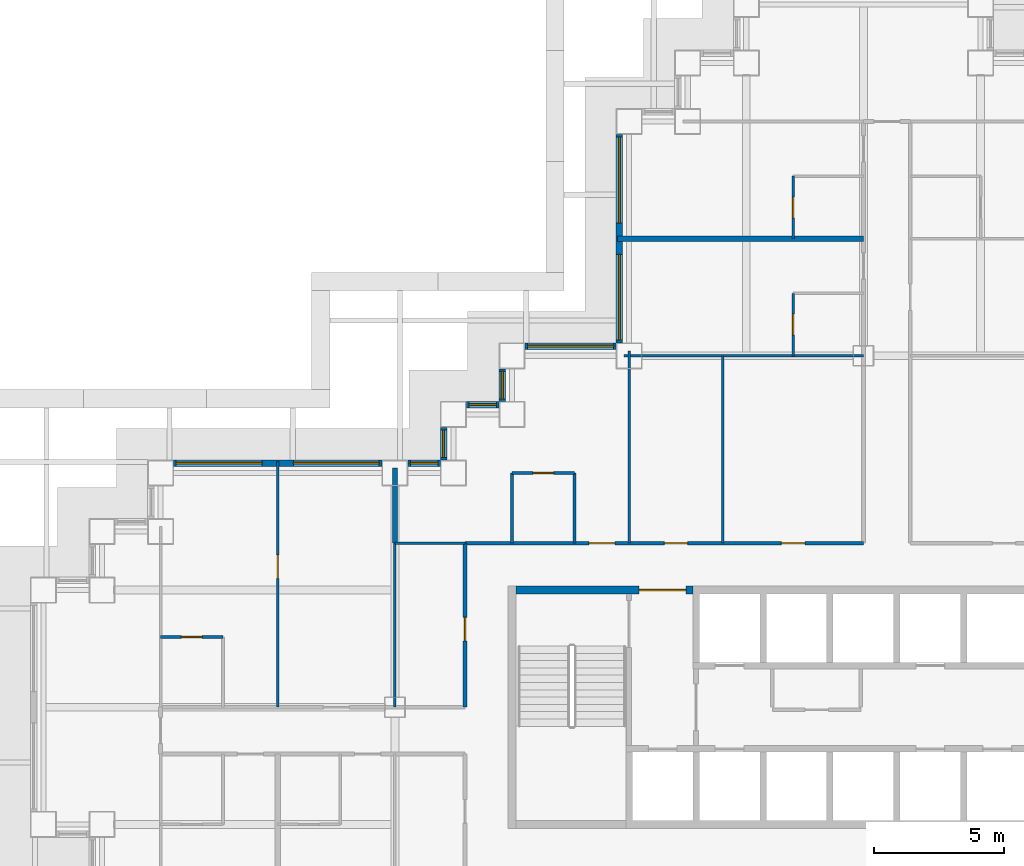
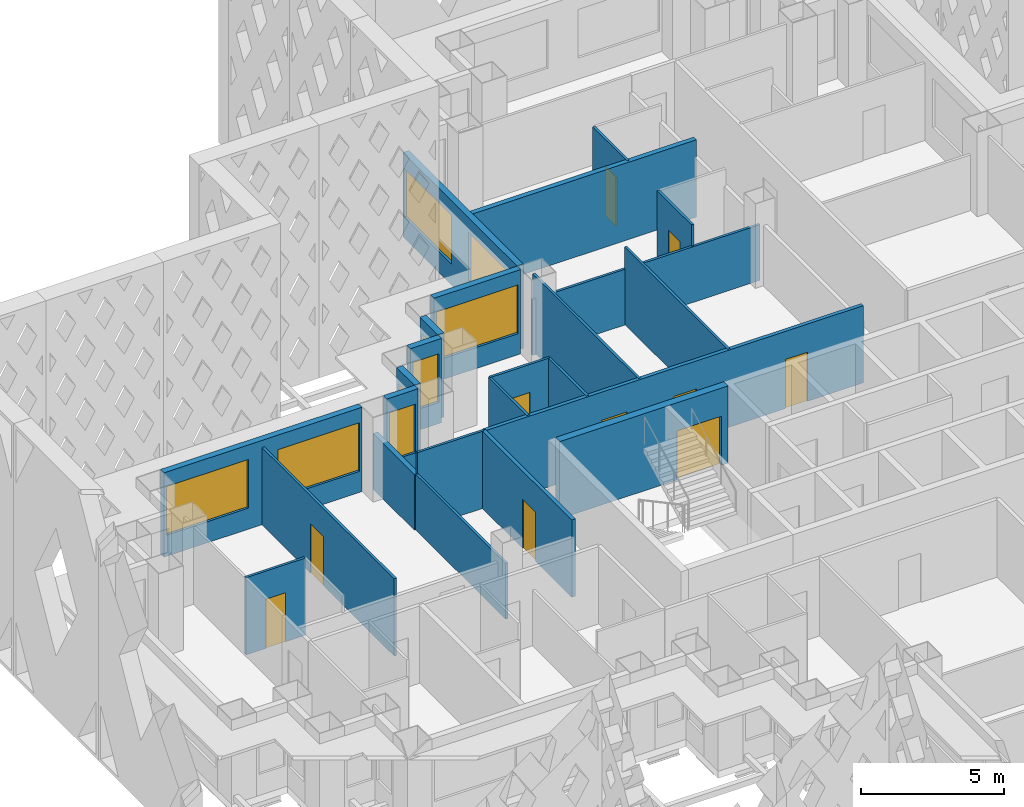
# One storey, part 7 of 19: 24 walls, 10 doors, 9 windows, 19 openings.
"""IFC4 building model written with IfcOpenShell, lengths in metres."""

from ifc_helpers import new_model, si_unit, direction, frame, frame_2d, origin, place, context, subcontext, project, spatial, rectangle, extrude, material, layer, layer_set, type_object, element, fill, save


model = new_model("IFC4")

# Units and contexts
model_context = context("Model", 3, precision=1e-05, world=origin(), true_north=direction((0.0, 1.0)))
body_context = subcontext(model_context, "Body", "Model", "MODEL_VIEW")
ifc_project = project(units=[si_unit("LENGTHUNIT", "METRE"), si_unit("AREAUNIT", "SQUARE_METRE"), si_unit("VOLUMEUNIT", "CUBIC_METRE"), si_unit("PLANEANGLEUNIT", "RADIAN"), si_unit("MASSUNIT", "GRAM", prefix="KILO")], contexts=[model_context])

# Site, building, storey
site_placement = place(None, origin())
site = spatial("IfcSite", under=ifc_project, at=site_placement, CompositionType="ELEMENT")
building_placement = place(site_placement, origin())
building = spatial("IfcBuilding", under=site, at=building_placement, Name="Caravel Reach Hotel and Residences", CompositionType="ELEMENT")
storey_placement = place(building_placement, frame((0.0, 0.0, 74.39990234375)))
storey = spatial("IfcBuildingStorey", under=building, at=storey_placement, Name="L17", CompositionType="ELEMENT", Elevation=74.39990234375)

# Wall, opening, door
ifc_material_1 = material(Name="Gypsum board on steel stud", Category="steel")
ifc_layer_1 = layer(ifc_material_1, 0.10009765625)
ifc_layer_set_1 = layer_set([ifc_layer_1], Name="Bathroom pod wall 100 mm")
wall_type_1 = type_object("IfcWallType", Name="Bathroom pod wall 100 mm", PredefinedType="PARTITIONING", material=ifc_layer_set_1)
wall_1_placement = place(storey_placement, frame((4.5, 29.699951171875, 0.0), z_axis=(0.0, 0.0, 1.0), x_axis=(1.0, 0.0, 0.0)))
wall_1 = element("IfcWall", 1, at=wall_1_placement, inside=storey, type_object=wall_type_1, Name="L17 wall w092", PredefinedType="PARTITIONING", context=body_context, shape_type="SweptSolid", body=[
    extrude(rectangle(XDim=2.39990234375, YDim=0.10009765625, at=frame_2d((1.199951171875, 0.0))), origin(), (0.0, 0.0, 1.0), 3.300048828125),
])
opening_1_placement = place(wall_1_placement, frame((0.800048828125, 0.0, 0.0)))
opening_1 = element("IfcOpeningElement", 2, at=opening_1_placement, cuts=wall_1, Name="Opening D17-021", PredefinedType="OPENING", context=body_context, shape_type="SweptSolid", body=[
    extrude(rectangle(XDim=0.800048828125, YDim=2.10009765625, at=frame_2d((0.39990234375, 1.050048828125))), frame((0.0, 0.06005859375, 0.0), z_axis=(0.0, -1.0, 0.0), x_axis=(1.0, 0.0, 0.0)), (0.0, 0.0, 1.0), 0.1201171875),
])
ifc_material_2 = material(Name="Timber and steel door leaf", Category="steel")
door_type_1 = type_object("IfcDoorType", Name="Bathroom door 800 x 2100", OperationType="SINGLE_SWING_LEFT", PredefinedType="DOOR", material=ifc_material_2)
door_1_placement = place(opening_1_placement, origin())
door_1 = element("IfcDoor", 3, at=door_1_placement, inside=storey, type_object=door_type_1, Name="door D17-021", OperationType="SINGLE_SWING_LEFT", OverallHeight=2.10009765625, OverallWidth=0.800048828125, PredefinedType="DOOR", context=body_context, shape_type="SweptSolid", body=[
    extrude(rectangle(XDim=0.800048828125, YDim=2.10009765625, at=frame_2d((0.39990234375, 1.050048828125))), frame((0.0, 0.02490234375, 0.0), z_axis=(0.0, -1.0, 0.0), x_axis=(1.0, 0.0, 0.0)), (0.0, 0.0, 1.0), 0.050048828125),
])
fill(opening_1, door_1)

wall_2_placement = place(storey_placement, frame((18.0, 36.0, 0.0), z_axis=(0.0, 0.0, 1.0), x_axis=(1.0, 0.0, 0.0)))
wall_2 = element("IfcWall", 4, at=wall_2_placement, inside=storey, type_object=wall_type_1, Name="L17 wall w095", PredefinedType="PARTITIONING", context=body_context, shape_type="SweptSolid", body=[
    extrude(rectangle(XDim=2.39990234375, YDim=0.10009765625, at=frame_2d((1.199951171875, 0.0))), origin(), (0.0, 0.0, 1.0), 3.300048828125),
])
opening_2_placement = place(wall_2_placement, frame((0.800048828125, 0.0, 0.0)))
opening_2 = element("IfcOpeningElement", 5, at=opening_2_placement, cuts=wall_2, Name="Opening D17-047", PredefinedType="OPENING", context=body_context, shape_type="SweptSolid", body=[
    extrude(rectangle(XDim=0.800048828125, YDim=2.10009765625, at=frame_2d((0.39990234375, 1.050048828125))), frame((0.0, 0.06005859375, 0.0), z_axis=(0.0, -1.0, 0.0), x_axis=(1.0, 0.0, 0.0)), (0.0, 0.0, 1.0), 0.1201171875),
])
door_2_placement = place(opening_2_placement, origin())
door_2 = element("IfcDoor", 6, at=door_2_placement, inside=storey, type_object=door_type_1, Name="door D17-047", OperationType="SINGLE_SWING_LEFT", OverallHeight=2.10009765625, OverallWidth=0.800048828125, PredefinedType="DOOR", context=body_context, shape_type="SweptSolid", body=[
    extrude(rectangle(XDim=0.800048828125, YDim=2.10009765625, at=frame_2d((0.39990234375, 1.050048828125))), frame((0.0, 0.02490234375, 0.0), z_axis=(0.0, -1.0, 0.0), x_axis=(1.0, 0.0, 0.0)), (0.0, 0.0, 1.0), 0.050048828125),
])
fill(opening_2, door_2)

# Walls
for number, where, z_axis, x_axis, name in (
    (7, (18.0, 33.300048828125, 0.0), (0.0, 0.0, 1.0), (0.0, 1.0, 0.0), "L17 wall w101"),
    (8, (20.39990234375, 33.300048828125, 0.0), (0.0, 0.0, 1.0), (0.0, 1.0, 0.0), "L17 wall w102"),
):
    element("IfcWall", number, at=place(storey_placement, frame(where, z_axis=z_axis, x_axis=x_axis)), inside=storey, type_object=wall_type_1, Name=name, PredefinedType="PARTITIONING", context=body_context, shape_type="SweptSolid", body=[
        extrude(rectangle(XDim=2.699951171875, YDim=0.10009765625, at=frame_2d((1.35009765625, 0.0))), origin(), (0.0, 0.0, 1.0), 3.300048828125),
    ])

# Wall, opening, door
wall_3_placement = place(storey_placement, frame((28.800048828125, 40.5, 0.0), z_axis=(0.0, 0.0, 1.0), x_axis=(0.0, 1.0, 0.0)))
wall_3 = element("IfcWall", 9, at=wall_3_placement, inside=storey, type_object=wall_type_1, Name="L17 wall w105", PredefinedType="PARTITIONING", context=body_context, shape_type="SweptSolid", body=[
    extrude(rectangle(XDim=2.39990234375, YDim=0.10009765625, at=frame_2d((1.199951171875, 0.0))), origin(), (0.0, 0.0, 1.0), 3.300048828125),
])
opening_3_placement = place(wall_3_placement, frame((0.800048828125, 0.0, 0.0)))
opening_3 = element("IfcOpeningElement", 10, at=opening_3_placement, cuts=wall_3, Name="Opening D17-031", PredefinedType="OPENING", context=body_context, shape_type="SweptSolid", body=[
    extrude(rectangle(XDim=0.800048828125, YDim=2.10009765625, at=frame_2d((0.39990234375, 1.050048828125))), frame((0.0, 0.06005859375, 0.0), z_axis=(0.0, -1.0, 0.0), x_axis=(1.0, 0.0, 0.0)), (0.0, 0.0, 1.0), 0.1201171875),
])
door_3_placement = place(opening_3_placement, origin())
door_3 = element("IfcDoor", 11, at=door_3_placement, inside=storey, type_object=door_type_1, Name="door D17-031", OperationType="SINGLE_SWING_RIGHT", OverallHeight=2.10009765625, OverallWidth=0.800048828125, PredefinedType="DOOR", context=body_context, shape_type="SweptSolid", body=[
    extrude(rectangle(XDim=0.800048828125, YDim=2.10009765625, at=frame_2d((0.39990234375, 1.050048828125))), frame((0.0, 0.02490234375, 0.0), z_axis=(0.0, -1.0, 0.0), x_axis=(1.0, 0.0, 0.0)), (0.0, 0.0, 1.0), 0.050048828125),
])
fill(opening_3, door_3)

wall_4_placement = place(storey_placement, frame((28.800048828125, 45.0, 0.0), z_axis=(0.0, 0.0, 1.0), x_axis=(0.0, 1.0, 0.0)))
wall_4 = element("IfcWall", 12, at=wall_4_placement, inside=storey, type_object=wall_type_1, Name="L17 wall w106", PredefinedType="PARTITIONING", context=body_context, shape_type="SweptSolid", body=[
    extrude(rectangle(XDim=2.39990234375, YDim=0.10009765625, at=frame_2d((1.199951171875, 0.0))), origin(), (0.0, 0.0, 1.0), 3.300048828125),
])
opening_4_placement = place(wall_4_placement, frame((0.800048828125, 0.0, 0.0)))
opening_4 = element("IfcOpeningElement", 13, at=opening_4_placement, cuts=wall_4, Name="Opening D17-033", PredefinedType="OPENING", context=body_context, shape_type="SweptSolid", body=[
    extrude(rectangle(XDim=0.800048828125, YDim=2.10009765625, at=frame_2d((0.39990234375, 1.050048828125))), frame((0.0, 0.06005859375, 0.0), z_axis=(0.0, -1.0, 0.0), x_axis=(1.0, 0.0, 0.0)), (0.0, 0.0, 1.0), 0.1201171875),
])
door_4_placement = place(opening_4_placement, origin())
door_4 = element("IfcDoor", 14, at=door_4_placement, inside=storey, type_object=door_type_1, Name="door D17-033", OperationType="SINGLE_SWING_RIGHT", OverallHeight=2.10009765625, OverallWidth=0.800048828125, PredefinedType="DOOR", context=body_context, shape_type="SweptSolid", body=[
    extrude(rectangle(XDim=0.800048828125, YDim=2.10009765625, at=frame_2d((0.39990234375, 1.050048828125))), frame((0.0, 0.02490234375, 0.0), z_axis=(0.0, -1.0, 0.0), x_axis=(1.0, 0.0, 0.0)), (0.0, 0.0, 1.0), 0.050048828125),
])
fill(opening_4, door_4)

ifc_material_3 = material(Name="Concrete C60", Category="concrete")
ifc_layer_2 = layer(ifc_material_3, 0.300048828125)
ifc_layer_set_2 = layer_set([ifc_layer_2], Name="Core wall 300 mm EI 120")
wall_type_2 = type_object("IfcWallType", Name="Core wall 300 mm EI 120", PredefinedType="SHEAR", material=ifc_layer_set_2)
wall_5_placement = place(storey_placement, frame((18.14990234375, 31.5, 0.0), z_axis=(0.0, 0.0, 1.0), x_axis=(1.0, 0.0, 0.0)))
wall_5 = element("IfcWall", 15, at=wall_5_placement, inside=storey, type_object=wall_type_2, Name="L17 core wall N1", PredefinedType="SHEAR", context=body_context, shape_type="SweptSolid", body=[
    extrude(rectangle(XDim=6.796630859375, YDim=0.300048828125, at=frame_2d((3.3984375, 0.0))), origin(), (0.0, 0.0, 1.0), 3.300048828125),
])
opening_5_placement = place(wall_5_placement, frame((4.735595703125, 0.0, 0.0)))
opening_5 = element("IfcOpeningElement", 16, at=opening_5_placement, cuts=wall_5, Name="Opening D17-013", PredefinedType="OPENING", context=body_context, shape_type="SweptSolid", body=[
    extrude(rectangle(XDim=1.800048828125, YDim=2.10009765625, at=frame_2d((0.89990234375, 1.050048828125))), frame((0.0, 0.159912109375, 0.0), z_axis=(0.0, -1.0, 0.0), x_axis=(1.0, 0.0, 0.0)), (0.0, 0.0, 1.0), 0.320068359375),
])
ifc_material_4 = material(Name="Steel fire door leaf", Category="steel")
door_type_2 = type_object("IfcDoorType", Name="Fire lobby door pair 1800 x 2100 EI 90", OperationType="DOUBLE_DOOR_SINGLE_SWING", PredefinedType="DOOR", material=ifc_material_4)
door_5_placement = place(opening_5_placement, origin())
door_5 = element("IfcDoor", 17, at=door_5_placement, inside=storey, type_object=door_type_2, Name="lobby N door pair to corridor", OperationType="DOUBLE_DOOR_SINGLE_SWING", OverallHeight=2.10009765625, OverallWidth=1.800048828125, PredefinedType="DOOR", context=body_context, shape_type="SweptSolid", body=[
    extrude(rectangle(XDim=1.800048828125, YDim=2.10009765625, at=frame_2d((0.89990234375, 1.050048828125))), frame((0.0, 0.02490234375, 0.0), z_axis=(0.0, -1.0, 0.0), x_axis=(1.0, 0.0, 0.0)), (0.0, 0.0, 1.0), 0.050048828125),
])
fill(opening_5, door_5)

# Wall, openings, doors
ifc_material_5 = material(Name="Gypsum board on steel stud, fire-rated", Category="steel")
ifc_layer_3 = layer(ifc_material_5, 0.14990234375)
ifc_layer_set_3 = layer_set([ifc_layer_3], Name="Corridor wall 150 mm EI 60")
wall_type_3 = type_object("IfcWallType", Name="Corridor wall 150 mm EI 60", PredefinedType="PARTITIONING", material=ifc_layer_set_3)
wall_6_placement = place(storey_placement, frame((16.199951171875, 33.300048828125, 0.0), z_axis=(0.0, 0.0, 1.0), x_axis=(1.0, 0.0, 0.0)))
wall_6 = element("IfcWall", 18, at=wall_6_placement, inside=storey, type_object=wall_type_3, Name="L17 wall w019", PredefinedType="PARTITIONING", context=body_context, shape_type="SweptSolid", body=[
    extrude(rectangle(XDim=15.300048828125, YDim=0.14990234375, at=frame_2d((7.64990234375, 0.0))), origin(), (0.0, 0.0, 1.0), 3.300048828125),
])
opening_6_placement = place(wall_6_placement, frame((4.75, 0.0, 0.0)))
opening_6 = element("IfcOpeningElement", 19, at=opening_6_placement, cuts=wall_6, Name="Opening D17-046", PredefinedType="OPENING", context=body_context, shape_type="SweptSolid", body=[
    extrude(rectangle(XDim=1.0, YDim=2.10009765625, at=frame_2d((0.5, 1.050048828125))), frame((0.0, 0.0849609375, 0.0), z_axis=(0.0, -1.0, 0.0), x_axis=(1.0, 0.0, 0.0)), (0.0, 0.0, 1.0), 0.169921875),
])
opening_7_placement = place(wall_6_placement, frame((7.650146484375, 0.0, 0.0)))
opening_7 = element("IfcOpeningElement", 20, at=opening_7_placement, cuts=wall_6, Name="Opening D17-057", PredefinedType="OPENING", context=body_context, shape_type="SweptSolid", body=[
    extrude(rectangle(XDim=0.89990234375, YDim=2.10009765625, at=frame_2d((0.449951171875, 1.050048828125))), frame((0.0, 0.0849609375, 0.0), z_axis=(0.0, -1.0, 0.0), x_axis=(1.0, 0.0, 0.0)), (0.0, 0.0, 1.0), 0.169921875),
])
opening_8_placement = place(wall_6_placement, frame((12.14990234375, 0.0, 0.0)))
opening_8 = element("IfcOpeningElement", 21, at=opening_8_placement, cuts=wall_6, Name="Opening D17-058", PredefinedType="OPENING", context=body_context, shape_type="SweptSolid", body=[
    extrude(rectangle(XDim=0.89990234375, YDim=2.10009765625, at=frame_2d((0.449951171875, 1.050048828125))), frame((0.0, 0.0849609375, 0.0), z_axis=(0.0, -1.0, 0.0), x_axis=(1.0, 0.0, 0.0)), (0.0, 0.0, 1.0), 0.169921875),
])
ifc_material_6 = material(Name="Timber and steel door leaf", Category="steel")
door_type_3 = type_object("IfcDoorType", Name="Door 900 x 2100 timber", OperationType="SINGLE_SWING_LEFT", PredefinedType="DOOR", material=ifc_material_6)
door_6_placement = place(opening_7_placement, origin())
door_6 = element("IfcDoor", 22, at=door_6_placement, inside=storey, type_object=door_type_3, Name="door D17-057", OperationType="SINGLE_SWING_LEFT", OverallHeight=2.10009765625, OverallWidth=0.89990234375, PredefinedType="DOOR", context=body_context, shape_type="SweptSolid", body=[
    extrude(rectangle(XDim=0.89990234375, YDim=2.10009765625, at=frame_2d((0.449951171875, 1.050048828125))), frame((0.0, 0.02490234375, 0.0), z_axis=(0.0, -1.0, 0.0), x_axis=(1.0, 0.0, 0.0)), (0.0, 0.0, 1.0), 0.050048828125),
])
fill(opening_7, door_6)
door_7_placement = place(opening_8_placement, origin())
door_7 = element("IfcDoor", 23, at=door_7_placement, inside=storey, type_object=door_type_3, Name="door D17-058", OperationType="SINGLE_SWING_RIGHT", OverallHeight=2.10009765625, OverallWidth=0.89990234375, PredefinedType="DOOR", context=body_context, shape_type="SweptSolid", body=[
    extrude(rectangle(XDim=0.89990234375, YDim=2.10009765625, at=frame_2d((0.449951171875, 1.050048828125))), frame((0.0, 0.02490234375, 0.0), z_axis=(0.0, -1.0, 0.0), x_axis=(1.0, 0.0, 0.0)), (0.0, 0.0, 1.0), 0.050048828125),
])
fill(opening_8, door_7)
ifc_material_7 = material(Name="Steel fire door leaf", Category="steel")
door_type_4 = type_object("IfcDoorType", Name="Guest room door 1000 x 2100 EI 30", OperationType="SINGLE_SWING_LEFT", PredefinedType="DOOR", material=ifc_material_7)
door_8_placement = place(opening_6_placement, origin())
door_8 = element("IfcDoor", 24, at=door_8_placement, inside=storey, type_object=door_type_4, Name="door D17-046", OperationType="SINGLE_SWING_RIGHT", OverallHeight=2.10009765625, OverallWidth=1.0, PredefinedType="DOOR", context=body_context, shape_type="SweptSolid", body=[
    extrude(rectangle(XDim=1.0, YDim=2.10009765625, at=frame_2d((0.5, 1.050048828125))), frame((0.0, 0.02490234375, 0.0), z_axis=(0.0, -1.0, 0.0), x_axis=(1.0, 0.0, 0.0)), (0.0, 0.0, 1.0), 0.050048828125),
])
fill(opening_6, door_8)

# Wall, opening, door
wall_7_placement = place(storey_placement, frame((16.199951171875, 27.0, 0.0), z_axis=(0.0, 0.0, 1.0), x_axis=(0.0, 1.0, 0.0)))
wall_7 = element("IfcWall", 25, at=wall_7_placement, inside=storey, type_object=wall_type_3, Name="L17 wall w027", PredefinedType="PARTITIONING", context=body_context, shape_type="SweptSolid", body=[
    extrude(rectangle(XDim=6.300048828125, YDim=0.14990234375, at=frame_2d((3.14990234375, 0.0))), origin(), (0.0, 0.0, 1.0), 3.300048828125),
])
opening_9_placement = place(wall_7_placement, frame((2.550048828125, 0.0, 0.0)))
opening_9 = element("IfcOpeningElement", 26, at=opening_9_placement, cuts=wall_7, Name="Opening D17-063", PredefinedType="OPENING", context=body_context, shape_type="SweptSolid", body=[
    extrude(rectangle(XDim=0.89990234375, YDim=2.10009765625, at=frame_2d((0.449951171875, 1.050048828125))), frame((0.0, 0.0849609375, 0.0), z_axis=(0.0, -1.0, 0.0), x_axis=(1.0, 0.0, 0.0)), (0.0, 0.0, 1.0), 0.169921875),
])
door_9_placement = place(opening_9_placement, origin())
door_9 = element("IfcDoor", 27, at=door_9_placement, inside=storey, type_object=door_type_3, Name="door D17-063", OperationType="SINGLE_SWING_LEFT", OverallHeight=2.10009765625, OverallWidth=0.89990234375, PredefinedType="DOOR", context=body_context, shape_type="SweptSolid", body=[
    extrude(rectangle(XDim=0.89990234375, YDim=2.10009765625, at=frame_2d((0.449951171875, 1.050048828125))), frame((0.0, 0.02490234375, 0.0), z_axis=(0.0, -1.0, 0.0), x_axis=(1.0, 0.0, 0.0)), (0.0, 0.0, 1.0), 0.050048828125),
])
fill(opening_9, door_9)

# Wall, openings, windows
ifc_material_8 = material(Name="Insulated rainscreen wall, aluminium cladding", Category="aluminium")
ifc_layer_4 = layer(ifc_material_8, 0.25)
ifc_layer_set_4 = layer_set([ifc_layer_4], Name="EW1 Tower rainscreen wall")
wall_type_4 = type_object("IfcWallType", Name="EW1 Tower rainscreen wall", PredefinedType="SOLIDWALL", material=ifc_layer_set_4)
wall_8_placement = place(storey_placement, frame((22.125, 49.0, 0.0), z_axis=(0.0, 0.0, 1.0), x_axis=(0.0, -1.0, 0.0)))
wall_8 = element("IfcWall", 28, at=wall_8_placement, inside=storey, type_object=wall_type_4, Name="External wall L17 W40.1", PredefinedType="SOLIDWALL", context=body_context, shape_type="SweptSolid", body=[
    extrude(rectangle(XDim=8.0, YDim=0.25, at=frame_2d((4.0, 0.0))), origin(), (0.0, 0.0, 1.0), 3.60009765625),
])
opening_10_placement = place(wall_8_placement, frame((0.10009765625, 0.0, 0.89990234375)))
opening_10 = element("IfcOpeningElement", 29, at=opening_10_placement, cuts=wall_8, Name="Opening WN4", PredefinedType="OPENING", context=body_context, shape_type="SweptSolid", body=[
    extrude(rectangle(XDim=3.300048828125, YDim=2.080078125, at=frame_2d((1.64990234375, 1.0400390625))), frame((0.0, 0.135009765625, 0.0), z_axis=(0.0, -1.0, 0.0), x_axis=(1.0, 0.0, 0.0)), (0.0, 0.0, 1.0), 0.27001953125),
])
opening_11_placement = place(wall_8_placement, frame((4.60009765625, 0.0, 0.89990234375)))
opening_11 = element("IfcOpeningElement", 30, at=opening_11_placement, cuts=wall_8, Name="Opening WN4", PredefinedType="OPENING", context=body_context, shape_type="SweptSolid", body=[
    extrude(rectangle(XDim=3.300048828125, YDim=2.080078125, at=frame_2d((1.64990234375, 1.0400390625))), frame((0.0, 0.135009765625, 0.0), z_axis=(0.0, -1.0, 0.0), x_axis=(1.0, 0.0, 0.0)), (0.0, 0.0, 1.0), 0.27001953125),
])
ifc_material_9 = material(Name="Dark low-e glazing in black aluminium frame", Category="aluminium")
window_type_1 = type_object("IfcWindowType", Name="Hotel guest room window 3300 x 2080", PartitioningType="SINGLE_PANEL", PredefinedType="WINDOW", material=ifc_material_9)
window_1_placement = place(opening_10_placement, origin())
window_1 = element("IfcWindow", 31, at=window_1_placement, inside=storey, type_object=window_type_1, Name="Window L17 W40.1.1", OverallHeight=2.080078125, OverallWidth=3.300048828125, PartitioningType="SINGLE_PANEL", PredefinedType="WINDOW", context=body_context, shape_type="SweptSolid", body=[
    extrude(rectangle(XDim=3.300048828125, YDim=2.080078125, at=frame_2d((1.64990234375, 1.0400390625))), frame((0.0, 0.030029296875, 0.0), z_axis=(0.0, -1.0, 0.0), x_axis=(1.0, 0.0, 0.0)), (0.0, 0.0, 1.0), 0.06005859375),
])
fill(opening_10, window_1)
window_2_placement = place(opening_11_placement, origin())
window_2 = element("IfcWindow", 32, at=window_2_placement, inside=storey, type_object=window_type_1, Name="Window L17 W40.1.2", OverallHeight=2.080078125, OverallWidth=3.300048828125, PartitioningType="SINGLE_PANEL", PredefinedType="WINDOW", context=body_context, shape_type="SweptSolid", body=[
    extrude(rectangle(XDim=3.300048828125, YDim=2.080078125, at=frame_2d((1.64990234375, 1.0400390625))), frame((0.0, 0.030029296875, 0.0), z_axis=(0.0, -1.0, 0.0), x_axis=(1.0, 0.0, 0.0)), (0.0, 0.0, 1.0), 0.06005859375),
])
fill(opening_11, window_2)

# Wall, opening, window
wall_9_placement = place(storey_placement, frame((22.0, 40.875, 0.0), z_axis=(0.0, 0.0, 1.0), x_axis=(-1.0, 0.0, 0.0)))
wall_9 = element("IfcWall", 33, at=wall_9_placement, inside=storey, type_object=wall_type_4, Name="External wall L17 N41.1", PredefinedType="SOLIDWALL", context=body_context, shape_type="SweptSolid", body=[
    extrude(rectangle(XDim=3.5, YDim=0.25, at=frame_2d((1.75, 0.0))), origin(), (0.0, 0.0, 1.0), 3.60009765625),
])
opening_12_placement = place(wall_9_placement, frame((0.10009765625, 0.0, 0.89990234375)))
opening_12 = element("IfcOpeningElement", 34, at=opening_12_placement, cuts=wall_9, Name="Opening WN4", PredefinedType="OPENING", context=body_context, shape_type="SweptSolid", body=[
    extrude(rectangle(XDim=3.300048828125, YDim=2.080078125, at=frame_2d((1.64990234375, 1.0400390625))), frame((0.0, 0.135009765625, 0.0), z_axis=(0.0, -1.0, 0.0), x_axis=(1.0, 0.0, 0.0)), (0.0, 0.0, 1.0), 0.27001953125),
])
window_3_placement = place(opening_12_placement, origin())
window_3 = element("IfcWindow", 35, at=window_3_placement, inside=storey, type_object=window_type_1, Name="Window L17 N41.1.1", OverallHeight=2.080078125, OverallWidth=3.300048828125, PartitioningType="SINGLE_PANEL", PredefinedType="WINDOW", context=body_context, shape_type="SweptSolid", body=[
    extrude(rectangle(XDim=3.300048828125, YDim=2.080078125, at=frame_2d((1.64990234375, 1.0400390625))), frame((0.0, 0.030029296875, 0.0), z_axis=(0.0, -1.0, 0.0), x_axis=(1.0, 0.0, 0.0)), (0.0, 0.0, 1.0), 0.06005859375),
])
fill(opening_12, window_3)

wall_10_placement = place(storey_placement, frame((17.625, 40.0, 0.0), z_axis=(0.0, 0.0, 1.0), x_axis=(0.0, -1.0, 0.0)))
wall_10 = element("IfcWall", 36, at=wall_10_placement, inside=storey, type_object=wall_type_4, Name="External wall L17 W42.1", PredefinedType="SOLIDWALL", context=body_context, shape_type="SweptSolid", body=[
    extrude(rectangle(XDim=1.25, YDim=0.25, at=frame_2d((0.625, 0.0))), origin(), (0.0, 0.0, 1.0), 3.60009765625),
])
opening_13_placement = place(wall_10_placement, frame((0.10009765625, 0.0, 0.89990234375)))
opening_13 = element("IfcOpeningElement", 37, at=opening_13_placement, cuts=wall_10, Name="Opening WN3", PredefinedType="OPENING", context=body_context, shape_type="SweptSolid", body=[
    extrude(rectangle(XDim=1.050048828125, YDim=2.080078125, at=frame_2d((0.52490234375, 1.0400390625))), frame((0.0, 0.135009765625, 0.0), z_axis=(0.0, -1.0, 0.0), x_axis=(1.0, 0.0, 0.0)), (0.0, 0.0, 1.0), 0.27001953125),
])
ifc_material_10 = material(Name="Dark low-e glazing in black aluminium frame", Category="aluminium")
window_type_2 = type_object("IfcWindowType", Name="Hotel suite corner window 1050 x 2080", PartitioningType="SINGLE_PANEL", PredefinedType="WINDOW", material=ifc_material_10)
window_4_placement = place(opening_13_placement, origin())
window_4 = element("IfcWindow", 38, at=window_4_placement, inside=storey, type_object=window_type_2, Name="Window L17 W42.1.1", OverallHeight=2.080078125, OverallWidth=1.050048828125, PartitioningType="SINGLE_PANEL", PredefinedType="WINDOW", context=body_context, shape_type="SweptSolid", body=[
    extrude(rectangle(XDim=1.050048828125, YDim=2.080078125, at=frame_2d((0.52490234375, 1.0400390625))), frame((0.0, 0.030029296875, 0.0), z_axis=(0.0, -1.0, 0.0), x_axis=(1.0, 0.0, 0.0)), (0.0, 0.0, 1.0), 0.06005859375),
])
fill(opening_13, window_4)

wall_11_placement = place(storey_placement, frame((17.5, 38.625, 0.0), z_axis=(0.0, 0.0, 1.0), x_axis=(-1.0, 0.0, 0.0)))
wall_11 = element("IfcWall", 39, at=wall_11_placement, inside=storey, type_object=wall_type_4, Name="External wall L17 N43.1", PredefinedType="SOLIDWALL", context=body_context, shape_type="SweptSolid", body=[
    extrude(rectangle(XDim=1.25, YDim=0.25, at=frame_2d((0.625, 0.0))), origin(), (0.0, 0.0, 1.0), 3.60009765625),
])
opening_14_placement = place(wall_11_placement, frame((0.10009765625, 0.0, 0.89990234375)))
opening_14 = element("IfcOpeningElement", 40, at=opening_14_placement, cuts=wall_11, Name="Opening WN3", PredefinedType="OPENING", context=body_context, shape_type="SweptSolid", body=[
    extrude(rectangle(XDim=1.050048828125, YDim=2.080078125, at=frame_2d((0.52490234375, 1.0400390625))), frame((0.0, 0.135009765625, 0.0), z_axis=(0.0, -1.0, 0.0), x_axis=(1.0, 0.0, 0.0)), (0.0, 0.0, 1.0), 0.27001953125),
])
window_5_placement = place(opening_14_placement, origin())
window_5 = element("IfcWindow", 41, at=window_5_placement, inside=storey, type_object=window_type_2, Name="Window L17 N43.1.1", OverallHeight=2.080078125, OverallWidth=1.050048828125, PartitioningType="SINGLE_PANEL", PredefinedType="WINDOW", context=body_context, shape_type="SweptSolid", body=[
    extrude(rectangle(XDim=1.050048828125, YDim=2.080078125, at=frame_2d((0.52490234375, 1.0400390625))), frame((0.0, 0.030029296875, 0.0), z_axis=(0.0, -1.0, 0.0), x_axis=(1.0, 0.0, 0.0)), (0.0, 0.0, 1.0), 0.06005859375),
])
fill(opening_14, window_5)

wall_12_placement = place(storey_placement, frame((15.375, 37.75, 0.0), z_axis=(0.0, 0.0, 1.0), x_axis=(0.0, -1.0, 0.0)))
wall_12 = element("IfcWall", 42, at=wall_12_placement, inside=storey, type_object=wall_type_4, Name="External wall L17 W44.1", PredefinedType="SOLIDWALL", context=body_context, shape_type="SweptSolid", body=[
    extrude(rectangle(XDim=1.25, YDim=0.25, at=frame_2d((0.625, 0.0))), origin(), (0.0, 0.0, 1.0), 3.60009765625),
])
opening_15_placement = place(wall_12_placement, frame((0.10009765625, 0.0, 0.89990234375)))
opening_15 = element("IfcOpeningElement", 43, at=opening_15_placement, cuts=wall_12, Name="Opening WN3", PredefinedType="OPENING", context=body_context, shape_type="SweptSolid", body=[
    extrude(rectangle(XDim=1.050048828125, YDim=2.080078125, at=frame_2d((0.52490234375, 1.0400390625))), frame((0.0, 0.135009765625, 0.0), z_axis=(0.0, -1.0, 0.0), x_axis=(1.0, 0.0, 0.0)), (0.0, 0.0, 1.0), 0.27001953125),
])
window_6_placement = place(opening_15_placement, origin())
window_6 = element("IfcWindow", 44, at=window_6_placement, inside=storey, type_object=window_type_2, Name="Window L17 W44.1.1", OverallHeight=2.080078125, OverallWidth=1.050048828125, PartitioningType="SINGLE_PANEL", PredefinedType="WINDOW", context=body_context, shape_type="SweptSolid", body=[
    extrude(rectangle(XDim=1.050048828125, YDim=2.080078125, at=frame_2d((0.52490234375, 1.0400390625))), frame((0.0, 0.030029296875, 0.0), z_axis=(0.0, -1.0, 0.0), x_axis=(1.0, 0.0, 0.0)), (0.0, 0.0, 1.0), 0.06005859375),
])
fill(opening_15, window_6)

wall_13_placement = place(storey_placement, frame((15.25, 36.375, 0.0), z_axis=(0.0, 0.0, 1.0), x_axis=(-1.0, 0.0, 0.0)))
wall_13 = element("IfcWall", 45, at=wall_13_placement, inside=storey, type_object=wall_type_4, Name="External wall L17 N45.1", PredefinedType="SOLIDWALL", context=body_context, shape_type="SweptSolid", body=[
    extrude(rectangle(XDim=1.25, YDim=0.25, at=frame_2d((0.625, 0.0))), origin(), (0.0, 0.0, 1.0), 3.60009765625),
])
opening_16_placement = place(wall_13_placement, frame((0.10009765625, 0.0, 0.89990234375)))
opening_16 = element("IfcOpeningElement", 46, at=opening_16_placement, cuts=wall_13, Name="Opening WN3", PredefinedType="OPENING", context=body_context, shape_type="SweptSolid", body=[
    extrude(rectangle(XDim=1.050048828125, YDim=2.080078125, at=frame_2d((0.52490234375, 1.0400390625))), frame((0.0, 0.135009765625, 0.0), z_axis=(0.0, -1.0, 0.0), x_axis=(1.0, 0.0, 0.0)), (0.0, 0.0, 1.0), 0.27001953125),
])
window_7_placement = place(opening_16_placement, origin())
window_7 = element("IfcWindow", 47, at=window_7_placement, inside=storey, type_object=window_type_2, Name="Window L17 N45.1.1", OverallHeight=2.080078125, OverallWidth=1.050048828125, PartitioningType="SINGLE_PANEL", PredefinedType="WINDOW", context=body_context, shape_type="SweptSolid", body=[
    extrude(rectangle(XDim=1.050048828125, YDim=2.080078125, at=frame_2d((0.52490234375, 1.0400390625))), frame((0.0, 0.030029296875, 0.0), z_axis=(0.0, -1.0, 0.0), x_axis=(1.0, 0.0, 0.0)), (0.0, 0.0, 1.0), 0.06005859375),
])
fill(opening_16, window_7)

# Wall, openings, windows
wall_14_placement = place(storey_placement, frame((13.0, 36.375, 0.0), z_axis=(0.0, 0.0, 1.0), x_axis=(-1.0, 0.0, 0.0)))
wall_14 = element("IfcWall", 48, at=wall_14_placement, inside=storey, type_object=wall_type_4, Name="External wall L17 N45.2", PredefinedType="SOLIDWALL", context=body_context, shape_type="SweptSolid", body=[
    extrude(rectangle(XDim=8.0, YDim=0.25, at=frame_2d((4.0, 0.0))), origin(), (0.0, 0.0, 1.0), 3.60009765625),
])
opening_17_placement = place(wall_14_placement, frame((0.10009765625, 0.0, 0.89990234375)))
opening_17 = element("IfcOpeningElement", 49, at=opening_17_placement, cuts=wall_14, Name="Opening WN4", PredefinedType="OPENING", context=body_context, shape_type="SweptSolid", body=[
    extrude(rectangle(XDim=3.300048828125, YDim=2.080078125, at=frame_2d((1.64990234375, 1.0400390625))), frame((0.0, 0.135009765625, 0.0), z_axis=(0.0, -1.0, 0.0), x_axis=(1.0, 0.0, 0.0)), (0.0, 0.0, 1.0), 0.27001953125),
])
opening_18_placement = place(wall_14_placement, frame((4.60009765625, 0.0, 0.89990234375)))
opening_18 = element("IfcOpeningElement", 50, at=opening_18_placement, cuts=wall_14, Name="Opening WN4", PredefinedType="OPENING", context=body_context, shape_type="SweptSolid", body=[
    extrude(rectangle(XDim=3.300048828125, YDim=2.080078125, at=frame_2d((1.64990234375, 1.0400390625))), frame((0.0, 0.135009765625, 0.0), z_axis=(0.0, -1.0, 0.0), x_axis=(1.0, 0.0, 0.0)), (0.0, 0.0, 1.0), 0.27001953125),
])
window_8_placement = place(opening_17_placement, origin())
window_8 = element("IfcWindow", 51, at=window_8_placement, inside=storey, type_object=window_type_1, Name="Window L17 N45.2.1", OverallHeight=2.080078125, OverallWidth=3.300048828125, PartitioningType="SINGLE_PANEL", PredefinedType="WINDOW", context=body_context, shape_type="SweptSolid", body=[
    extrude(rectangle(XDim=3.300048828125, YDim=2.080078125, at=frame_2d((1.64990234375, 1.0400390625))), frame((0.0, 0.030029296875, 0.0), z_axis=(0.0, -1.0, 0.0), x_axis=(1.0, 0.0, 0.0)), (0.0, 0.0, 1.0), 0.06005859375),
])
fill(opening_17, window_8)
window_9_placement = place(opening_18_placement, origin())
window_9 = element("IfcWindow", 52, at=window_9_placement, inside=storey, type_object=window_type_1, Name="Window L17 N45.2.2", OverallHeight=2.080078125, OverallWidth=3.300048828125, PartitioningType="SINGLE_PANEL", PredefinedType="WINDOW", context=body_context, shape_type="SweptSolid", body=[
    extrude(rectangle(XDim=3.300048828125, YDim=2.080078125, at=frame_2d((1.64990234375, 1.0400390625))), frame((0.0, 0.030029296875, 0.0), z_axis=(0.0, -1.0, 0.0), x_axis=(1.0, 0.0, 0.0)), (0.0, 0.0, 1.0), 0.06005859375),
])
fill(opening_18, window_9)

# Walls
ifc_material_11 = material(Name="Gypsum board on steel stud", Category="steel")
ifc_layer_5 = layer(ifc_material_11, 0.10009765625)
ifc_layer_set_5 = layer_set([ifc_layer_5], Name="Partition 100 mm")
wall_type_5 = type_object("IfcWallType", Name="Partition 100 mm", PredefinedType="PARTITIONING", material=ifc_layer_set_5)
wall_15_placement = place(storey_placement, frame((13.5, 33.300048828125, 0.0), z_axis=(0.0, 0.0, 1.0), x_axis=(1.0, 0.0, 0.0)))
element("IfcWall", 53, at=wall_15_placement, inside=storey, type_object=wall_type_5, Name="L17 wall w047", PredefinedType="PARTITIONING", context=body_context, shape_type="SweptSolid", body=[
    extrude(rectangle(XDim=2.699951171875, YDim=0.10009765625, at=frame_2d((1.35009765625, 0.0))), origin(), (0.0, 0.0, 1.0), 3.300048828125),
])
wall_16_placement = place(storey_placement, frame((22.31005859375, 40.5, 0.0), z_axis=(0.0, 0.0, 1.0), x_axis=(1.0, 0.0, 0.0)))
element("IfcWall", 54, at=wall_16_placement, inside=storey, type_object=wall_type_5, Name="L17 wall w049", PredefinedType="PARTITIONING", context=body_context, shape_type="SweptSolid", body=[
    extrude(rectangle(XDim=9.18994140625, YDim=0.10009765625, at=frame_2d((4.594970703125, 0.0))), origin(), (0.0, 0.0, 1.0), 2.380126953125),
])
wall_17_placement = place(storey_placement, frame((13.5, 27.0, 0.0), z_axis=(0.0, 0.0, 1.0), x_axis=(0.0, 1.0, 0.0)))
element("IfcWall", 55, at=wall_17_placement, inside=storey, type_object=wall_type_5, Name="L17 wall w059", PredefinedType="PARTITIONING", context=body_context, shape_type="SweptSolid", body=[
    extrude(rectangle(XDim=6.300048828125, YDim=0.10009765625, at=frame_2d((3.14990234375, 0.0))), origin(), (0.0, 0.0, 1.0), 2.380126953125),
])
wall_18_placement = place(storey_placement, frame((22.5, 33.300048828125, 0.0), z_axis=(0.0, 0.0, 1.0), x_axis=(0.0, 1.0, 0.0)))
element("IfcWall", 56, at=wall_18_placement, inside=storey, type_object=wall_type_5, Name="L17 wall w061", PredefinedType="PARTITIONING", context=body_context, shape_type="SweptSolid", body=[
    extrude(rectangle(XDim=7.389892578125, YDim=0.10009765625, at=frame_2d((3.69482421875, 0.0))), origin(), (0.0, 0.0, 1.0), 3.300048828125),
])
wall_19_placement = place(storey_placement, frame((26.10009765625, 33.300048828125, 0.0), z_axis=(0.0, 0.0, 1.0), x_axis=(0.0, 1.0, 0.0)))
element("IfcWall", 57, at=wall_19_placement, inside=storey, type_object=wall_type_5, Name="L17 wall w063", PredefinedType="PARTITIONING", context=body_context, shape_type="SweptSolid", body=[
    extrude(rectangle(XDim=7.199951171875, YDim=0.10009765625, at=frame_2d((3.60009765625, 0.0))), origin(), (0.0, 0.0, 1.0), 3.300048828125),
])

# Wall, opening, door
wall_20_placement = place(storey_placement, frame((9.0, 27.0, 0.0), z_axis=(0.0, 0.0, 1.0), x_axis=(0.0, 1.0, 0.0)))
wall_20 = element("IfcWall", 58, at=wall_20_placement, inside=storey, type_object=wall_type_5, Name="L17 wall w074", PredefinedType="PARTITIONING", context=body_context, shape_type="SweptSolid", body=[
    extrude(rectangle(XDim=9.43994140625, YDim=0.10009765625, at=frame_2d((4.719970703125, 0.0))), origin(), (0.0, 0.0, 1.0), 3.300048828125),
])
opening_19_placement = place(wall_20_placement, frame((4.949951171875, 0.0, 0.0)))
opening_19 = element("IfcOpeningElement", 59, at=opening_19_placement, cuts=wall_20, Name="Opening D17-020", PredefinedType="OPENING", context=body_context, shape_type="SweptSolid", body=[
    extrude(rectangle(XDim=0.89990234375, YDim=2.10009765625, at=frame_2d((0.449951171875, 1.050048828125))), frame((0.0, 0.06005859375, 0.0), z_axis=(0.0, -1.0, 0.0), x_axis=(1.0, 0.0, 0.0)), (0.0, 0.0, 1.0), 0.1201171875),
])
door_10_placement = place(opening_19_placement, origin())
door_10 = element("IfcDoor", 60, at=door_10_placement, inside=storey, type_object=door_type_3, Name="door D17-020", OperationType="SINGLE_SWING_RIGHT", OverallHeight=2.10009765625, OverallWidth=0.89990234375, PredefinedType="DOOR", context=body_context, shape_type="SweptSolid", body=[
    extrude(rectangle(XDim=0.89990234375, YDim=2.10009765625, at=frame_2d((0.449951171875, 1.050048828125))), frame((0.0, 0.02490234375, 0.0), z_axis=(0.0, -1.0, 0.0), x_axis=(1.0, 0.0, 0.0)), (0.0, 0.0, 1.0), 0.050048828125),
])
fill(opening_19, door_10)

# Walls
ifc_material_12 = material(Name="Autoclaved aerated block wall")
ifc_layer_6 = layer(ifc_material_12, 0.199951171875)
ifc_layer_set_6 = layer_set([ifc_layer_6], Name="Party wall 200 mm EI 60")
wall_type_6 = type_object("IfcWallType", Name="Party wall 200 mm EI 60", PredefinedType="PARTITIONING", material=ifc_layer_set_6)
wall_21_placement = place(storey_placement, frame((22.06005859375, 45.0, 0.0), z_axis=(0.0, 0.0, 1.0), x_axis=(1.0, 0.0, 0.0)))
element("IfcWall", 61, at=wall_21_placement, inside=storey, type_object=wall_type_6, Name="L17 wall w075", PredefinedType="PARTITIONING", context=body_context, shape_type="SweptSolid", body=[
    extrude(rectangle(XDim=9.43994140625, YDim=0.199951171875, at=frame_2d((4.719970703125, 0.0))), origin(), (0.0, 0.0, 1.0), 3.300048828125),
])
wall_22_placement = place(storey_placement, frame((13.5, 33.300048828125, 0.0), z_axis=(0.0, 0.0, 1.0), x_axis=(0.0, 1.0, 0.0)))
element("IfcWall", 62, at=wall_22_placement, inside=storey, type_object=wall_type_6, Name="L17 wall w076", PredefinedType="PARTITIONING", context=body_context, shape_type="SweptSolid", body=[
    extrude(rectangle(XDim=2.889892578125, YDim=0.199951171875, at=frame_2d((1.44482421875, 0.0))), origin(), (0.0, 0.0, 1.0), 2.380126953125),
])

save(model, "model.ifc")
